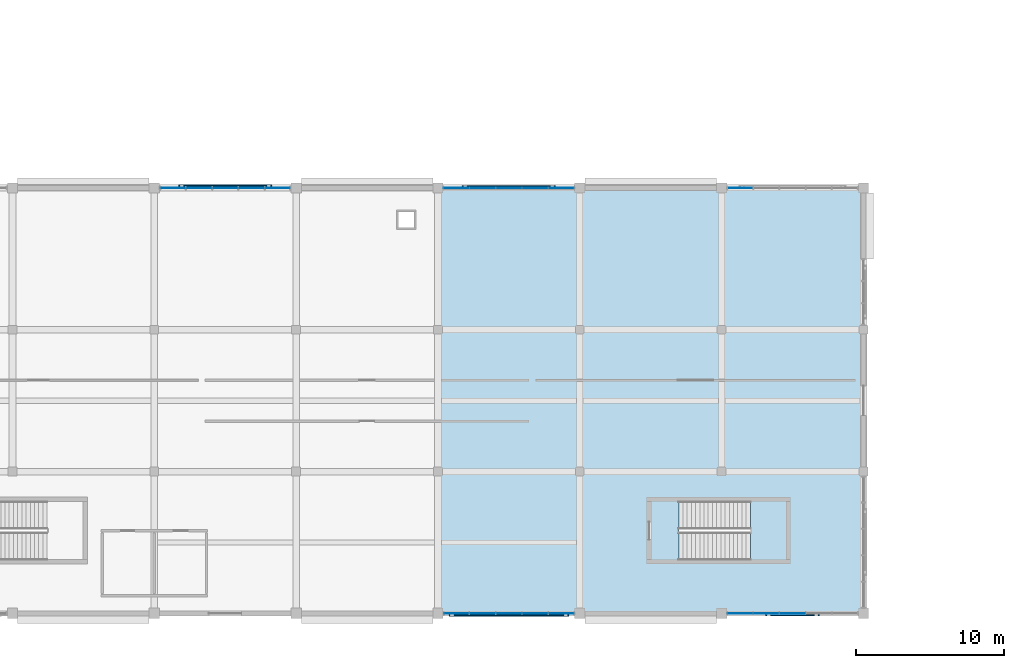
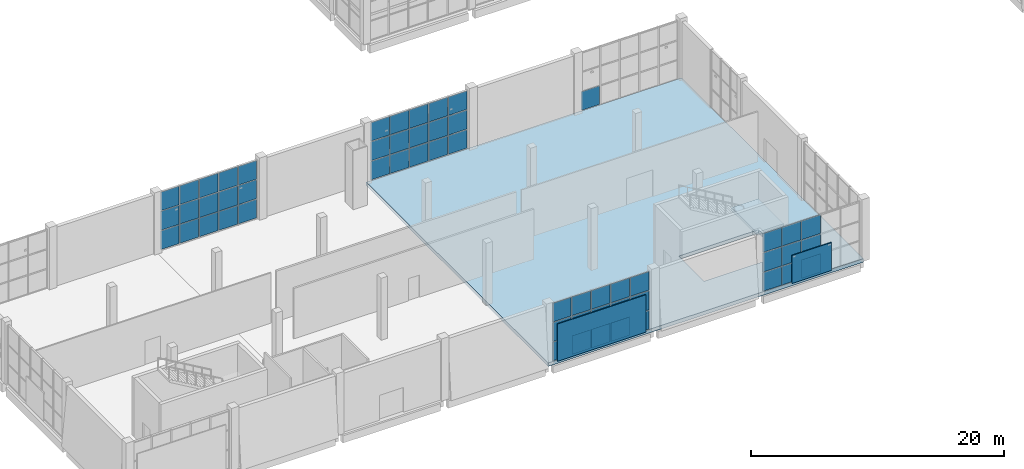
# One storey, part 40 of 84: 59 plates, 2 slabs, 6 elements without a shape of their own.
"""IFC4 building model written with IfcOpenShell, lengths in metres."""

from ifc_helpers import new_model, si_unit, direction, frame, origin, origin_2d, place, context, subcontext, project, spatial, polyline, rectangle, outline, extrude, material, layer, layer_set, type_object, element, aggregate, save


model = new_model("IFC4")

# Units and contexts
model_context = context("Model", 3, precision=1e-05, world=origin(), true_north=direction((0.0, 1.0)))
body_context = subcontext(model_context, "Body", "Model", "MODEL_VIEW")
ifc_project = project(units=[si_unit("LENGTHUNIT", "METRE"), si_unit("AREAUNIT", "SQUARE_METRE"), si_unit("VOLUMEUNIT", "CUBIC_METRE"), si_unit("PLANEANGLEUNIT", "RADIAN"), si_unit("MASSUNIT", "GRAM", prefix="KILO")], contexts=[model_context])

# Site, building, storey
site_placement = place(None, origin())
site = spatial("IfcSite", under=ifc_project, at=site_placement, CompositionType="ELEMENT")
building_placement = place(site_placement, origin())
building = spatial("IfcBuilding", under=site, at=building_placement, Name="Shalvenor Court Art Gallery", CompositionType="ELEMENT")
storey_placement = place(building_placement, origin())
storey = spatial("IfcBuildingStorey", under=building, at=storey_placement, Name="L00", CompositionType="ELEMENT", Elevation=0.0)

# Curtain wall, plates
ifc_material_1 = material(Name="Anodised aluminium and low-iron glass curtain wall", Category="aluminium")
curtain_wall_type_1 = type_object("IfcCurtainWallType", Name="CW-5x3-89-57-421", PredefinedType="USERDEFINED", material=ifc_material_1)
curtain_wall_1_placement = place(storey_placement, origin())
curtain_wall_1 = element("IfcCurtainWall", 1, at=curtain_wall_1_placement, inside=storey, type_object=curtain_wall_type_1, Name="L00 V4 Curtain Wall CW-L00-118", ObjectType="CURTAIN WALL", PredefinedType="USERDEFINED")
ifc_material_2 = material(Name="Low-iron UV-laminated double glazing IGU", Category="glass")
ifc_layer_1 = layer(ifc_material_2, 0.028076171875, Name="Low-iron UV-laminated double glazing IGU")
ifc_layer_set_1 = layer_set([ifc_layer_1], Name="Low-iron UV-laminated double glazing IGU")
plate_type_1 = type_object("IfcPlateType", Name="CWP-01", PredefinedType="CURTAIN_PANEL", material=ifc_layer_set_1)
plate_1_placement = place(storey_placement, frame((20.458740234375, 28.800048828125, 0.06494140625), z_axis=(0.0, 0.0, 1.0), x_axis=(1.0, 0.0, 0.0)))
plate_1 = element("IfcPlate", 2, at=plate_1_placement, type_object=plate_type_1, Name="CW-5x3-89-57-421 panel 1.1", PredefinedType="CURTAIN_PANEL", context=body_context, shape_type="SweptSolid", body=[
    extrude(rectangle(XDim=1.66748046875, YDim=0.028076171875, at=origin_2d()), origin(), (0.0, 0.0, 1.0), 1.7958984375),
])
plate_2_placement = place(storey_placement, frame((20.458740234375, 28.800048828125, 1.92578125), z_axis=(0.0, 0.0, 1.0), x_axis=(1.0, 0.0, 0.0)))
plate_2 = element("IfcPlate", 3, at=plate_2_placement, type_object=plate_type_1, Name="CW-5x3-89-57-421 panel 1.2", PredefinedType="CURTAIN_PANEL", context=body_context, shape_type="SweptSolid", body=[
    extrude(rectangle(XDim=1.66748046875, YDim=0.028076171875, at=origin_2d()), origin(), (0.0, 0.0, 1.0), 1.828369140625),
])
plate_3_placement = place(storey_placement, frame((20.458740234375, 28.800048828125, 3.819091796875), z_axis=(0.0, 0.0, 1.0), x_axis=(1.0, 0.0, 0.0)))
plate_3 = element("IfcPlate", 4, at=plate_3_placement, type_object=plate_type_1, Name="CW-5x3-89-57-421 panel 1.3", PredefinedType="CURTAIN_PANEL", context=body_context, shape_type="SweptSolid", body=[
    extrude(rectangle(XDim=1.66748046875, YDim=0.028076171875, at=origin_2d()), origin(), (0.0, 0.0, 1.0), 1.7958984375),
])
plate_4_placement = place(storey_placement, frame((22.219970703125, 28.800048828125, 0.06494140625), z_axis=(0.0, 0.0, 1.0), x_axis=(1.0, 0.0, 0.0)))
plate_4 = element("IfcPlate", 5, at=plate_4_placement, type_object=plate_type_1, Name="CW-5x3-89-57-421 panel 2.1", PredefinedType="CURTAIN_PANEL", context=body_context, shape_type="SweptSolid", body=[
    extrude(rectangle(XDim=1.705078125, YDim=0.028076171875, at=origin_2d()), origin(), (0.0, 0.0, 1.0), 1.7958984375),
])
plate_5_placement = place(storey_placement, frame((22.219970703125, 28.800048828125, 1.92578125), z_axis=(0.0, 0.0, 1.0), x_axis=(1.0, 0.0, 0.0)))
plate_5 = element("IfcPlate", 6, at=plate_5_placement, type_object=plate_type_1, Name="CW-5x3-89-57-421 panel 2.2", PredefinedType="CURTAIN_PANEL", context=body_context, shape_type="SweptSolid", body=[
    extrude(rectangle(XDim=1.705078125, YDim=0.028076171875, at=origin_2d()), origin(), (0.0, 0.0, 1.0), 1.828369140625),
])
plate_6_placement = place(storey_placement, frame((22.219970703125, 28.800048828125, 3.819091796875), z_axis=(0.0, 0.0, 1.0), x_axis=(1.0, 0.0, 0.0)))
plate_6 = element("IfcPlate", 7, at=plate_6_placement, type_object=plate_type_1, Name="CW-5x3-89-57-421 panel 2.3", PredefinedType="CURTAIN_PANEL", context=body_context, shape_type="SweptSolid", body=[
    extrude(rectangle(XDim=1.705078125, YDim=0.028076171875, at=origin_2d()), origin(), (0.0, 0.0, 1.0), 1.7958984375),
])
plate_7_placement = place(storey_placement, frame((24.0, 28.800048828125, 0.06494140625), z_axis=(0.0, 0.0, 1.0), x_axis=(1.0, 0.0, 0.0)))
plate_7 = element("IfcPlate", 8, at=plate_7_placement, type_object=plate_type_1, Name="CW-5x3-89-57-421 panel 3.1", PredefinedType="CURTAIN_PANEL", context=body_context, shape_type="SweptSolid", body=[
    extrude(rectangle(XDim=1.705078125, YDim=0.028076171875, at=origin_2d()), origin(), (0.0, 0.0, 1.0), 1.7958984375),
])
plate_8_placement = place(storey_placement, frame((24.0, 28.800048828125, 1.92578125), z_axis=(0.0, 0.0, 1.0), x_axis=(1.0, 0.0, 0.0)))
plate_8 = element("IfcPlate", 9, at=plate_8_placement, type_object=plate_type_1, Name="CW-5x3-89-57-421 panel 3.2", PredefinedType="CURTAIN_PANEL", context=body_context, shape_type="SweptSolid", body=[
    extrude(rectangle(XDim=1.705078125, YDim=0.028076171875, at=origin_2d()), origin(), (0.0, 0.0, 1.0), 1.828369140625),
])
plate_9_placement = place(storey_placement, frame((24.0, 28.800048828125, 3.819091796875), z_axis=(0.0, 0.0, 1.0), x_axis=(1.0, 0.0, 0.0)))
plate_9 = element("IfcPlate", 10, at=plate_9_placement, type_object=plate_type_1, Name="CW-5x3-89-57-421 panel 3.3", PredefinedType="CURTAIN_PANEL", context=body_context, shape_type="SweptSolid", body=[
    extrude(rectangle(XDim=1.705078125, YDim=0.028076171875, at=origin_2d()), origin(), (0.0, 0.0, 1.0), 1.7958984375),
])
plate_10_placement = place(storey_placement, frame((25.780029296875, 28.800048828125, 0.06494140625), z_axis=(0.0, 0.0, 1.0), x_axis=(1.0, 0.0, 0.0)))
plate_10 = element("IfcPlate", 11, at=plate_10_placement, type_object=plate_type_1, Name="CW-5x3-89-57-421 panel 4.1", PredefinedType="CURTAIN_PANEL", context=body_context, shape_type="SweptSolid", body=[
    extrude(rectangle(XDim=1.705078125, YDim=0.028076171875, at=origin_2d()), origin(), (0.0, 0.0, 1.0), 1.7958984375),
])
plate_11_placement = place(storey_placement, frame((25.780029296875, 28.800048828125, 1.92578125), z_axis=(0.0, 0.0, 1.0), x_axis=(1.0, 0.0, 0.0)))
plate_11 = element("IfcPlate", 12, at=plate_11_placement, type_object=plate_type_1, Name="CW-5x3-89-57-421 panel 4.2", PredefinedType="CURTAIN_PANEL", context=body_context, shape_type="SweptSolid", body=[
    extrude(rectangle(XDim=1.705078125, YDim=0.028076171875, at=origin_2d()), origin(), (0.0, 0.0, 1.0), 1.828369140625),
])
plate_12_placement = place(storey_placement, frame((25.780029296875, 28.800048828125, 3.819091796875), z_axis=(0.0, 0.0, 1.0), x_axis=(1.0, 0.0, 0.0)))
plate_12 = element("IfcPlate", 13, at=plate_12_placement, type_object=plate_type_1, Name="CW-5x3-89-57-421 panel 4.3", PredefinedType="CURTAIN_PANEL", context=body_context, shape_type="SweptSolid", body=[
    extrude(rectangle(XDim=1.705078125, YDim=0.028076171875, at=origin_2d()), origin(), (0.0, 0.0, 1.0), 1.7958984375),
])
plate_13_placement = place(storey_placement, frame((27.541259765625, 28.800048828125, 0.06494140625), z_axis=(0.0, 0.0, 1.0), x_axis=(1.0, 0.0, 0.0)))
plate_13 = element("IfcPlate", 14, at=plate_13_placement, type_object=plate_type_1, Name="CW-5x3-89-57-421 panel 5.1", PredefinedType="CURTAIN_PANEL", context=body_context, shape_type="SweptSolid", body=[
    extrude(rectangle(XDim=1.66748046875, YDim=0.028076171875, at=origin_2d()), origin(), (0.0, 0.0, 1.0), 1.7958984375),
])
plate_14_placement = place(storey_placement, frame((27.541259765625, 28.800048828125, 1.92578125), z_axis=(0.0, 0.0, 1.0), x_axis=(1.0, 0.0, 0.0)))
plate_14 = element("IfcPlate", 15, at=plate_14_placement, type_object=plate_type_1, Name="CW-5x3-89-57-421 panel 5.2", PredefinedType="CURTAIN_PANEL", context=body_context, shape_type="SweptSolid", body=[
    extrude(rectangle(XDim=1.66748046875, YDim=0.028076171875, at=origin_2d()), origin(), (0.0, 0.0, 1.0), 1.828369140625),
])
plate_15_placement = place(storey_placement, frame((27.541259765625, 28.800048828125, 3.819091796875), z_axis=(0.0, 0.0, 1.0), x_axis=(1.0, 0.0, 0.0)))
plate_15 = element("IfcPlate", 16, at=plate_15_placement, type_object=plate_type_1, Name="CW-5x3-89-57-421 panel 5.3", PredefinedType="CURTAIN_PANEL", context=body_context, shape_type="SweptSolid", body=[
    extrude(rectangle(XDim=1.66748046875, YDim=0.028076171875, at=origin_2d()), origin(), (0.0, 0.0, 1.0), 1.7958984375),
])
aggregate(curtain_wall_1, [plate_1, plate_2, plate_3, plate_4, plate_5, plate_6, plate_7, plate_8, plate_9, plate_10, plate_11, plate_12, plate_13, plate_14, plate_15])

ifc_material_3 = material(Name="Anodised aluminium and low-iron glass curtain wall", Category="aluminium")
curtain_wall_type_2 = type_object("IfcCurtainWallType", Name="CW-5x3-89-57-641", PredefinedType="USERDEFINED", material=ifc_material_3)
curtain_wall_2_placement = place(storey_placement, origin())
curtain_wall_2 = element("IfcCurtainWall", 17, at=curtain_wall_2_placement, inside=storey, type_object=curtain_wall_type_2, Name="L00 V4 Curtain Wall CW-L00-119", ObjectType="CURTAIN WALL", PredefinedType="USERDEFINED")
plate_16_placement = place(storey_placement, frame((39.65380859375, 28.800048828125, 0.06982421875), z_axis=(0.0, 0.0, 1.0), x_axis=(1.0, 0.0, 0.0)))
plate_16 = element("IfcPlate", 18, at=plate_16_placement, type_object=plate_type_1, Name="CW-5x3-89-57-641 panel 1.1", PredefinedType="CURTAIN_PANEL", context=body_context, shape_type="SweptSolid", body=[
    extrude(rectangle(XDim=1.697509765625, YDim=0.028076171875, at=origin_2d()), origin(), (0.0, 0.0, 1.0), 1.788330078125),
])
plate_17_placement = place(storey_placement, frame((39.65380859375, 28.800048828125, 1.928466796875), z_axis=(0.0, 0.0, 1.0), x_axis=(1.0, 0.0, 0.0)))
plate_17 = element("IfcPlate", 19, at=plate_17_placement, type_object=plate_type_1, Name="CW-5x3-89-57-641 panel 1.2", PredefinedType="CURTAIN_PANEL", context=body_context, shape_type="SweptSolid", body=[
    extrude(rectangle(XDim=1.697509765625, YDim=0.028076171875, at=origin_2d()), origin(), (0.0, 0.0, 1.0), 1.8232421875),
])
plate_18_placement = place(storey_placement, frame((39.65380859375, 28.800048828125, 3.82177734375), z_axis=(0.0, 0.0, 1.0), x_axis=(1.0, 0.0, 0.0)))
plate_18 = element("IfcPlate", 20, at=plate_18_placement, type_object=plate_type_1, Name="CW-5x3-89-57-641 panel 1.3", PredefinedType="CURTAIN_PANEL", context=body_context, shape_type="SweptSolid", body=[
    extrude(rectangle(XDim=1.697509765625, YDim=0.028076171875, at=origin_2d()), origin(), (0.0, 0.0, 1.0), 1.788330078125),
])
plate_19_placement = place(storey_placement, frame((41.419921875, 28.800048828125, 0.06982421875), z_axis=(0.0, 0.0, 1.0), x_axis=(1.0, 0.0, 0.0)))
plate_19 = element("IfcPlate", 21, at=plate_19_placement, type_object=plate_type_1, Name="CW-5x3-89-57-641 panel 2.1", PredefinedType="CURTAIN_PANEL", context=body_context, shape_type="SweptSolid", body=[
    extrude(rectangle(XDim=1.72509765625, YDim=0.028076171875, at=origin_2d()), origin(), (0.0, 0.0, 1.0), 1.788330078125),
])
plate_20_placement = place(storey_placement, frame((41.419921875, 28.800048828125, 1.928466796875), z_axis=(0.0, 0.0, 1.0), x_axis=(1.0, 0.0, 0.0)))
plate_20 = element("IfcPlate", 22, at=plate_20_placement, type_object=plate_type_1, Name="CW-5x3-89-57-641 panel 2.2", PredefinedType="CURTAIN_PANEL", context=body_context, shape_type="SweptSolid", body=[
    extrude(rectangle(XDim=1.72509765625, YDim=0.028076171875, at=origin_2d()), origin(), (0.0, 0.0, 1.0), 1.8232421875),
])
plate_21_placement = place(storey_placement, frame((41.419921875, 28.800048828125, 3.82177734375), z_axis=(0.0, 0.0, 1.0), x_axis=(1.0, 0.0, 0.0)))
plate_21 = element("IfcPlate", 23, at=plate_21_placement, type_object=plate_type_1, Name="CW-5x3-89-57-641 panel 2.3", PredefinedType="CURTAIN_PANEL", context=body_context, shape_type="SweptSolid", body=[
    extrude(rectangle(XDim=1.72509765625, YDim=0.028076171875, at=origin_2d()), origin(), (0.0, 0.0, 1.0), 1.788330078125),
])
plate_22_placement = place(storey_placement, frame((43.199951171875, 28.800048828125, 0.06982421875), z_axis=(0.0, 0.0, 1.0), x_axis=(1.0, 0.0, 0.0)))
plate_22 = element("IfcPlate", 24, at=plate_22_placement, type_object=plate_type_1, Name="CW-5x3-89-57-641 panel 3.1", PredefinedType="CURTAIN_PANEL", context=body_context, shape_type="SweptSolid", body=[
    extrude(rectangle(XDim=1.72509765625, YDim=0.028076171875, at=origin_2d()), origin(), (0.0, 0.0, 1.0), 1.788330078125),
])
plate_23_placement = place(storey_placement, frame((43.199951171875, 28.800048828125, 1.928466796875), z_axis=(0.0, 0.0, 1.0), x_axis=(1.0, 0.0, 0.0)))
plate_23 = element("IfcPlate", 25, at=plate_23_placement, type_object=plate_type_1, Name="CW-5x3-89-57-641 panel 3.2", PredefinedType="CURTAIN_PANEL", context=body_context, shape_type="SweptSolid", body=[
    extrude(rectangle(XDim=1.72509765625, YDim=0.028076171875, at=origin_2d()), origin(), (0.0, 0.0, 1.0), 1.8232421875),
])
plate_24_placement = place(storey_placement, frame((43.199951171875, 28.800048828125, 3.82177734375), z_axis=(0.0, 0.0, 1.0), x_axis=(1.0, 0.0, 0.0)))
plate_24 = element("IfcPlate", 26, at=plate_24_placement, type_object=plate_type_1, Name="CW-5x3-89-57-641 panel 3.3", PredefinedType="CURTAIN_PANEL", context=body_context, shape_type="SweptSolid", body=[
    extrude(rectangle(XDim=1.72509765625, YDim=0.028076171875, at=origin_2d()), origin(), (0.0, 0.0, 1.0), 1.788330078125),
])
plate_25_placement = place(storey_placement, frame((44.97998046875, 28.800048828125, 0.06982421875), z_axis=(0.0, 0.0, 1.0), x_axis=(1.0, 0.0, 0.0)))
plate_25 = element("IfcPlate", 27, at=plate_25_placement, type_object=plate_type_1, Name="CW-5x3-89-57-641 panel 4.1", PredefinedType="CURTAIN_PANEL", context=body_context, shape_type="SweptSolid", body=[
    extrude(rectangle(XDim=1.72509765625, YDim=0.028076171875, at=origin_2d()), origin(), (0.0, 0.0, 1.0), 1.788330078125),
])
plate_26_placement = place(storey_placement, frame((44.97998046875, 28.800048828125, 1.928466796875), z_axis=(0.0, 0.0, 1.0), x_axis=(1.0, 0.0, 0.0)))
plate_26 = element("IfcPlate", 28, at=plate_26_placement, type_object=plate_type_1, Name="CW-5x3-89-57-641 panel 4.2", PredefinedType="CURTAIN_PANEL", context=body_context, shape_type="SweptSolid", body=[
    extrude(rectangle(XDim=1.72509765625, YDim=0.028076171875, at=origin_2d()), origin(), (0.0, 0.0, 1.0), 1.8232421875),
])
plate_27_placement = place(storey_placement, frame((44.97998046875, 28.800048828125, 3.82177734375), z_axis=(0.0, 0.0, 1.0), x_axis=(1.0, 0.0, 0.0)))
plate_27 = element("IfcPlate", 29, at=plate_27_placement, type_object=plate_type_1, Name="CW-5x3-89-57-641 panel 4.3", PredefinedType="CURTAIN_PANEL", context=body_context, shape_type="SweptSolid", body=[
    extrude(rectangle(XDim=1.72509765625, YDim=0.028076171875, at=origin_2d()), origin(), (0.0, 0.0, 1.0), 1.788330078125),
])
plate_28_placement = place(storey_placement, frame((46.746337890625, 28.800048828125, 0.06982421875), z_axis=(0.0, 0.0, 1.0), x_axis=(1.0, 0.0, 0.0)))
plate_28 = element("IfcPlate", 30, at=plate_28_placement, type_object=plate_type_1, Name="CW-5x3-89-57-641 panel 5.1", PredefinedType="CURTAIN_PANEL", context=body_context, shape_type="SweptSolid", body=[
    extrude(rectangle(XDim=1.697509765625, YDim=0.028076171875, at=origin_2d()), origin(), (0.0, 0.0, 1.0), 1.788330078125),
])
plate_29_placement = place(storey_placement, frame((46.746337890625, 28.800048828125, 1.928466796875), z_axis=(0.0, 0.0, 1.0), x_axis=(1.0, 0.0, 0.0)))
plate_29 = element("IfcPlate", 31, at=plate_29_placement, type_object=plate_type_1, Name="CW-5x3-89-57-641 panel 5.2", PredefinedType="CURTAIN_PANEL", context=body_context, shape_type="SweptSolid", body=[
    extrude(rectangle(XDim=1.697509765625, YDim=0.028076171875, at=origin_2d()), origin(), (0.0, 0.0, 1.0), 1.8232421875),
])
plate_30_placement = place(storey_placement, frame((46.746337890625, 28.800048828125, 3.82177734375), z_axis=(0.0, 0.0, 1.0), x_axis=(1.0, 0.0, 0.0)))
plate_30 = element("IfcPlate", 32, at=plate_30_placement, type_object=plate_type_1, Name="CW-5x3-89-57-641 panel 5.3", PredefinedType="CURTAIN_PANEL", context=body_context, shape_type="SweptSolid", body=[
    extrude(rectangle(XDim=1.697509765625, YDim=0.028076171875, at=origin_2d()), origin(), (0.0, 0.0, 1.0), 1.788330078125),
])
aggregate(curtain_wall_2, [plate_16, plate_17, plate_18, plate_19, plate_20, plate_21, plate_22, plate_23, plate_24, plate_25, plate_26, plate_27, plate_28, plate_29, plate_30])

# Curtain wall, plate
ifc_material_4 = material(Name="Anodised aluminium and low-iron glass curtain wall", Category="aluminium")
curtain_wall_type_3 = type_object("IfcCurtainWallType", Name="CW-5x3-89-57-111", PredefinedType="USERDEFINED", material=ifc_material_4)
curtain_wall_3_placement = place(storey_placement, origin())
curtain_wall_3 = element("IfcCurtainWall", 33, at=curtain_wall_3_placement, inside=storey, type_object=curtain_wall_type_3, Name="L00 V4 Curtain Wall CW-L00-120", ObjectType="CURTAIN WALL", PredefinedType="USERDEFINED")
plate_31_placement = place(storey_placement, frame((58.856201171875, 28.800048828125, 0.06005859375), z_axis=(0.0, 0.0, 1.0), x_axis=(1.0, 0.0, 0.0)))
plate_31 = element("IfcPlate", 34, at=plate_31_placement, type_object=plate_type_1, Name="CW-5x3-89-57-111 panel 1.1", PredefinedType="CURTAIN_PANEL", context=body_context, shape_type="SweptSolid", body=[
    extrude(rectangle(XDim=1.6826171875, YDim=0.028076171875, at=origin_2d()), origin(), (0.0, 0.0, 1.0), 1.80322265625),
])
aggregate(curtain_wall_3, [plate_31])

# Curtain wall, plates
ifc_material_5 = material(Name="Anodised aluminium and low-iron glass curtain wall", Category="aluminium")
curtain_wall_type_4 = type_object("IfcCurtainWallType", Name="CW-5x3-89-57-611", PredefinedType="USERDEFINED", material=ifc_material_5)
curtain_wall_4_placement = place(storey_placement, origin())
curtain_wall_4 = element("IfcCurtainWall", 35, at=curtain_wall_4_placement, inside=storey, type_object=curtain_wall_type_4, Name="L00 V4 Curtain Wall CW-L00-123", ObjectType="CURTAIN WALL", PredefinedType="USERDEFINED")
plate_32_placement = place(storey_placement, frame((62.39990234375, 0.0, 0.06005859375), z_axis=(0.0, 0.0, 1.0), x_axis=(-1.0, 0.0, 0.0)))
plate_32 = element("IfcPlate", 36, at=plate_32_placement, type_object=plate_type_1, Name="CW-5x3-89-57-611 panel 3.1", PredefinedType="CURTAIN_PANEL", context=body_context, shape_type="SweptSolid", body=[
    extrude(rectangle(XDim=1.72509765625, YDim=0.028076171875, at=origin_2d()), origin(), (0.0, 0.0, 1.0), 1.80322265625),
])
plate_33_placement = place(storey_placement, frame((62.39990234375, 0.0, 1.92333984375), z_axis=(0.0, 0.0, 1.0), x_axis=(-1.0, 0.0, 0.0)))
plate_33 = element("IfcPlate", 37, at=plate_33_placement, type_object=plate_type_1, Name="CW-5x3-89-57-611 panel 3.2", PredefinedType="CURTAIN_PANEL", context=body_context, shape_type="SweptSolid", body=[
    extrude(rectangle(XDim=1.72509765625, YDim=0.028076171875, at=origin_2d()), origin(), (0.0, 0.0, 1.0), 1.833251953125),
])
plate_34_placement = place(storey_placement, frame((62.39990234375, 0.0, 3.816650390625), z_axis=(0.0, 0.0, 1.0), x_axis=(-1.0, 0.0, 0.0)))
plate_34 = element("IfcPlate", 38, at=plate_34_placement, type_object=plate_type_1, Name="CW-5x3-89-57-611 panel 3.3", PredefinedType="CURTAIN_PANEL", context=body_context, shape_type="SweptSolid", body=[
    extrude(rectangle(XDim=1.72509765625, YDim=0.028076171875, at=origin_2d()), origin(), (0.0, 0.0, 1.0), 1.80322265625),
])
plate_35_placement = place(storey_placement, frame((60.6201171875, 0.0, 0.06005859375), z_axis=(0.0, 0.0, 1.0), x_axis=(-1.0, 0.0, 0.0)))
plate_35 = element("IfcPlate", 39, at=plate_35_placement, type_object=plate_type_1, Name="CW-5x3-89-57-611 panel 4.1", PredefinedType="CURTAIN_PANEL", context=body_context, shape_type="SweptSolid", body=[
    extrude(rectangle(XDim=1.72509765625, YDim=0.028076171875, at=origin_2d()), origin(), (0.0, 0.0, 1.0), 1.80322265625),
])
plate_36_placement = place(storey_placement, frame((60.6201171875, 0.0, 1.92333984375), z_axis=(0.0, 0.0, 1.0), x_axis=(-1.0, 0.0, 0.0)))
plate_36 = element("IfcPlate", 40, at=plate_36_placement, type_object=plate_type_1, Name="CW-5x3-89-57-611 panel 4.2", PredefinedType="CURTAIN_PANEL", context=body_context, shape_type="SweptSolid", body=[
    extrude(rectangle(XDim=1.72509765625, YDim=0.028076171875, at=origin_2d()), origin(), (0.0, 0.0, 1.0), 1.833251953125),
])
plate_37_placement = place(storey_placement, frame((60.6201171875, 0.0, 3.816650390625), z_axis=(0.0, 0.0, 1.0), x_axis=(-1.0, 0.0, 0.0)))
plate_37 = element("IfcPlate", 41, at=plate_37_placement, type_object=plate_type_1, Name="CW-5x3-89-57-611 panel 4.3", PredefinedType="CURTAIN_PANEL", context=body_context, shape_type="SweptSolid", body=[
    extrude(rectangle(XDim=1.72509765625, YDim=0.028076171875, at=origin_2d()), origin(), (0.0, 0.0, 1.0), 1.80322265625),
])
plate_38_placement = place(storey_placement, frame((58.853759765625, 0.0, 0.06005859375), z_axis=(0.0, 0.0, 1.0), x_axis=(-1.0, 0.0, 0.0)))
plate_38 = element("IfcPlate", 42, at=plate_38_placement, type_object=plate_type_1, Name="CW-5x3-89-57-611 panel 5.1", PredefinedType="CURTAIN_PANEL", context=body_context, shape_type="SweptSolid", body=[
    extrude(rectangle(XDim=1.697509765625, YDim=0.028076171875, at=origin_2d()), origin(), (0.0, 0.0, 1.0), 1.80322265625),
])
plate_39_placement = place(storey_placement, frame((58.853759765625, 0.0, 1.92333984375), z_axis=(0.0, 0.0, 1.0), x_axis=(-1.0, 0.0, 0.0)))
plate_39 = element("IfcPlate", 43, at=plate_39_placement, type_object=plate_type_1, Name="CW-5x3-89-57-611 panel 5.2", PredefinedType="CURTAIN_PANEL", context=body_context, shape_type="SweptSolid", body=[
    extrude(rectangle(XDim=1.697509765625, YDim=0.028076171875, at=origin_2d()), origin(), (0.0, 0.0, 1.0), 1.833251953125),
])
plate_40_placement = place(storey_placement, frame((58.853759765625, 0.0, 3.816650390625), z_axis=(0.0, 0.0, 1.0), x_axis=(-1.0, 0.0, 0.0)))
plate_40 = element("IfcPlate", 44, at=plate_40_placement, type_object=plate_type_1, Name="CW-5x3-89-57-611 panel 5.3", PredefinedType="CURTAIN_PANEL", context=body_context, shape_type="SweptSolid", body=[
    extrude(rectangle(XDim=1.697509765625, YDim=0.028076171875, at=origin_2d()), origin(), (0.0, 0.0, 1.0), 1.80322265625),
])
aggregate(curtain_wall_4, [plate_32, plate_33, plate_34, plate_35, plate_36, plate_37, plate_38, plate_39, plate_40])

ifc_material_6 = material(Name="Anodised aluminium and low-iron glass curtain wall", Category="aluminium")
curtain_wall_type_5 = type_object("IfcCurtainWallType", Name="CW-5x3-89-57-121", PredefinedType="USERDEFINED", material=ifc_material_6)
curtain_wall_5_placement = place(storey_placement, origin())
curtain_wall_5 = element("IfcCurtainWall", 45, at=curtain_wall_5_placement, inside=storey, type_object=curtain_wall_type_5, Name="L00 V4 Curtain Wall CW-L00-124", ObjectType="CURTAIN WALL", PredefinedType="USERDEFINED")
plate_41_placement = place(storey_placement, frame((46.74365234375, 0.0, 0.06494140625), z_axis=(0.0, 0.0, 1.0), x_axis=(-1.0, 0.0, 0.0)))
plate_41 = element("IfcPlate", 46, at=plate_41_placement, type_object=plate_type_1, Name="CW-5x3-89-57-121 panel 1.1", PredefinedType="CURTAIN_PANEL", context=body_context, shape_type="SweptSolid", body=[
    extrude(rectangle(XDim=1.6826171875, YDim=0.028076171875, at=origin_2d()), origin(), (0.0, 0.0, 1.0), 1.7958984375),
])
plate_42_placement = place(storey_placement, frame((46.74365234375, 0.0, 1.92578125), z_axis=(0.0, 0.0, 1.0), x_axis=(-1.0, 0.0, 0.0)))
plate_42 = element("IfcPlate", 47, at=plate_42_placement, type_object=plate_type_1, Name="CW-5x3-89-57-121 panel 1.2", PredefinedType="CURTAIN_PANEL", context=body_context, shape_type="SweptSolid", body=[
    extrude(rectangle(XDim=1.6826171875, YDim=0.028076171875, at=origin_2d()), origin(), (0.0, 0.0, 1.0), 1.828369140625),
])
plate_43_placement = place(storey_placement, frame((46.74365234375, 0.0, 3.819091796875), z_axis=(0.0, 0.0, 1.0), x_axis=(-1.0, 0.0, 0.0)))
plate_43 = element("IfcPlate", 48, at=plate_43_placement, type_object=plate_type_1, Name="CW-5x3-89-57-121 panel 1.3", PredefinedType="CURTAIN_PANEL", context=body_context, shape_type="SweptSolid", body=[
    extrude(rectangle(XDim=1.6826171875, YDim=0.028076171875, at=origin_2d()), origin(), (0.0, 0.0, 1.0), 1.7958984375),
])
plate_44_placement = place(storey_placement, frame((44.97998046875, 0.0, 0.06494140625), z_axis=(0.0, 0.0, 1.0), x_axis=(-1.0, 0.0, 0.0)))
plate_44 = element("IfcPlate", 49, at=plate_44_placement, type_object=plate_type_1, Name="CW-5x3-89-57-121 panel 2.1", PredefinedType="CURTAIN_PANEL", context=body_context, shape_type="SweptSolid", body=[
    extrude(rectangle(XDim=1.715087890625, YDim=0.028076171875, at=origin_2d()), origin(), (0.0, 0.0, 1.0), 1.7958984375),
])
plate_45_placement = place(storey_placement, frame((44.97998046875, 0.0, 1.92578125), z_axis=(0.0, 0.0, 1.0), x_axis=(-1.0, 0.0, 0.0)))
plate_45 = element("IfcPlate", 50, at=plate_45_placement, type_object=plate_type_1, Name="CW-5x3-89-57-121 panel 2.2", PredefinedType="CURTAIN_PANEL", context=body_context, shape_type="SweptSolid", body=[
    extrude(rectangle(XDim=1.715087890625, YDim=0.028076171875, at=origin_2d()), origin(), (0.0, 0.0, 1.0), 1.828369140625),
])
plate_46_placement = place(storey_placement, frame((44.97998046875, 0.0, 3.819091796875), z_axis=(0.0, 0.0, 1.0), x_axis=(-1.0, 0.0, 0.0)))
plate_46 = element("IfcPlate", 51, at=plate_46_placement, type_object=plate_type_1, Name="CW-5x3-89-57-121 panel 2.3", PredefinedType="CURTAIN_PANEL", context=body_context, shape_type="SweptSolid", body=[
    extrude(rectangle(XDim=1.715087890625, YDim=0.028076171875, at=origin_2d()), origin(), (0.0, 0.0, 1.0), 1.7958984375),
])
plate_47_placement = place(storey_placement, frame((43.199951171875, 0.0, 0.06494140625), z_axis=(0.0, 0.0, 1.0), x_axis=(-1.0, 0.0, 0.0)))
plate_47 = element("IfcPlate", 52, at=plate_47_placement, type_object=plate_type_1, Name="CW-5x3-89-57-121 panel 3.1", PredefinedType="CURTAIN_PANEL", context=body_context, shape_type="SweptSolid", body=[
    extrude(rectangle(XDim=1.715087890625, YDim=0.028076171875, at=origin_2d()), origin(), (0.0, 0.0, 1.0), 1.7958984375),
])
plate_48_placement = place(storey_placement, frame((43.199951171875, 0.0, 1.92578125), z_axis=(0.0, 0.0, 1.0), x_axis=(-1.0, 0.0, 0.0)))
plate_48 = element("IfcPlate", 53, at=plate_48_placement, type_object=plate_type_1, Name="CW-5x3-89-57-121 panel 3.2", PredefinedType="CURTAIN_PANEL", context=body_context, shape_type="SweptSolid", body=[
    extrude(rectangle(XDim=1.715087890625, YDim=0.028076171875, at=origin_2d()), origin(), (0.0, 0.0, 1.0), 1.828369140625),
])
plate_49_placement = place(storey_placement, frame((43.199951171875, 0.0, 3.819091796875), z_axis=(0.0, 0.0, 1.0), x_axis=(-1.0, 0.0, 0.0)))
plate_49 = element("IfcPlate", 54, at=plate_49_placement, type_object=plate_type_1, Name="CW-5x3-89-57-121 panel 3.3", PredefinedType="CURTAIN_PANEL", context=body_context, shape_type="SweptSolid", body=[
    extrude(rectangle(XDim=1.715087890625, YDim=0.028076171875, at=origin_2d()), origin(), (0.0, 0.0, 1.0), 1.7958984375),
])
plate_50_placement = place(storey_placement, frame((41.419921875, 0.0, 0.06494140625), z_axis=(0.0, 0.0, 1.0), x_axis=(-1.0, 0.0, 0.0)))
plate_50 = element("IfcPlate", 55, at=plate_50_placement, type_object=plate_type_1, Name="CW-5x3-89-57-121 panel 4.1", PredefinedType="CURTAIN_PANEL", context=body_context, shape_type="SweptSolid", body=[
    extrude(rectangle(XDim=1.715087890625, YDim=0.028076171875, at=origin_2d()), origin(), (0.0, 0.0, 1.0), 1.7958984375),
])
plate_51_placement = place(storey_placement, frame((41.419921875, 0.0, 1.92578125), z_axis=(0.0, 0.0, 1.0), x_axis=(-1.0, 0.0, 0.0)))
plate_51 = element("IfcPlate", 56, at=plate_51_placement, type_object=plate_type_1, Name="CW-5x3-89-57-121 panel 4.2", PredefinedType="CURTAIN_PANEL", context=body_context, shape_type="SweptSolid", body=[
    extrude(rectangle(XDim=1.715087890625, YDim=0.028076171875, at=origin_2d()), origin(), (0.0, 0.0, 1.0), 1.828369140625),
])
plate_52_placement = place(storey_placement, frame((41.419921875, 0.0, 3.819091796875), z_axis=(0.0, 0.0, 1.0), x_axis=(-1.0, 0.0, 0.0)))
plate_52 = element("IfcPlate", 57, at=plate_52_placement, type_object=plate_type_1, Name="CW-5x3-89-57-121 panel 4.3", PredefinedType="CURTAIN_PANEL", context=body_context, shape_type="SweptSolid", body=[
    extrude(rectangle(XDim=1.715087890625, YDim=0.028076171875, at=origin_2d()), origin(), (0.0, 0.0, 1.0), 1.7958984375),
])
plate_53_placement = place(storey_placement, frame((39.65625, 0.0, 0.06494140625), z_axis=(0.0, 0.0, 1.0), x_axis=(-1.0, 0.0, 0.0)))
plate_53 = element("IfcPlate", 58, at=plate_53_placement, type_object=plate_type_1, Name="CW-5x3-89-57-121 panel 5.1", PredefinedType="CURTAIN_PANEL", context=body_context, shape_type="SweptSolid", body=[
    extrude(rectangle(XDim=1.6826171875, YDim=0.028076171875, at=origin_2d()), origin(), (0.0, 0.0, 1.0), 1.7958984375),
])
plate_54_placement = place(storey_placement, frame((39.65625, 0.0, 1.92578125), z_axis=(0.0, 0.0, 1.0), x_axis=(-1.0, 0.0, 0.0)))
plate_54 = element("IfcPlate", 59, at=plate_54_placement, type_object=plate_type_1, Name="CW-5x3-89-57-121 panel 5.2", PredefinedType="CURTAIN_PANEL", context=body_context, shape_type="SweptSolid", body=[
    extrude(rectangle(XDim=1.6826171875, YDim=0.028076171875, at=origin_2d()), origin(), (0.0, 0.0, 1.0), 1.828369140625),
])
plate_55_placement = place(storey_placement, frame((39.65625, 0.0, 3.819091796875), z_axis=(0.0, 0.0, 1.0), x_axis=(-1.0, 0.0, 0.0)))
plate_55 = element("IfcPlate", 60, at=plate_55_placement, type_object=plate_type_1, Name="CW-5x3-89-57-121 panel 5.3", PredefinedType="CURTAIN_PANEL", context=body_context, shape_type="SweptSolid", body=[
    extrude(rectangle(XDim=1.6826171875, YDim=0.028076171875, at=origin_2d()), origin(), (0.0, 0.0, 1.0), 1.7958984375),
])
aggregate(curtain_wall_5, [plate_41, plate_42, plate_43, plate_44, plate_45, plate_46, plate_47, plate_48, plate_49, plate_50, plate_51, plate_52, plate_53, plate_54, plate_55])

# Slab
ifc_material_7 = material(Name="Concrete C40/50", Category="concrete")
ifc_layer_2 = layer(ifc_material_7, 0.340087890625, Name="Concrete C40/50")
ifc_layer_set_2 = layer_set([ifc_layer_2], Name="Concrete C40/50")
slab_type_1 = type_object("IfcSlabType", Name="FS-340", PredefinedType="FLOOR", material=ifc_layer_set_2)
slab_1_placement = place(storey_placement, frame((0.0, 0.0, -0.340087890625)))
element("IfcSlab", 61, at=slab_1_placement, inside=storey, type_object=slab_type_1, Name="L00 V4 Floor Slab 3", PredefinedType="FLOOR", context=body_context, shape_type="SweptSolid", body=[
    extrude(outline(polyline([(67.199951171875, 28.800048828125), (67.199951171875, 0.0), (38.39990234375, 0.0), (38.39990234375, 28.800048828125), (67.199951171875, 28.800048828125)]), holes=[polyline([(54.7109375, 7.60009765625), (54.7109375, 3.60009765625), (62.0, 3.60009765625), (62.0, 7.60009765625), (54.7109375, 7.60009765625)])]), origin(), (0.0, 0.0, 1.0), 0.340087890625),
])

# Plates
ifc_material_8 = material(Name="Perforated pale limestone GRC lattice", Category="masonry")
ifc_layer_3 = layer(ifc_material_8, 0.090087890625, Name="Perforated pale limestone GRC lattice")
ifc_layer_set_3 = layer_set([ifc_layer_3], Name="Perforated pale limestone GRC lattice")
plate_type_2 = type_object("IfcPlateType", Name="SCR-05", PredefinedType="USERDEFINED", material=ifc_layer_set_3)
plate_56_placement = place(storey_placement, frame((24.0, 28.952880859375, 0.0), z_axis=(0.0, 0.0, 1.0), x_axis=(1.0, 0.0, 0.0)))
element("IfcPlate", 62, at=plate_56_placement, inside=storey, type_object=plate_type_2, Name="L00 V4 Perforated Stone Lattice Screen PLT-SCR-0103", ObjectType="SCREEN", PredefinedType="USERDEFINED", context=body_context, shape_type="SweptSolid", body=[
    extrude(rectangle(XDim=6.300048828125, YDim=0.090087890625, at=origin_2d()), origin(), (0.0, 0.0, 1.0), 3.60009765625),
])
ifc_material_9 = material(Name="Perforated pale limestone GRC lattice", Category="masonry")
ifc_layer_4 = layer(ifc_material_9, 0.090087890625, Name="Perforated pale limestone GRC lattice")
ifc_layer_set_4 = layer_set([ifc_layer_4], Name="Perforated pale limestone GRC lattice")
plate_type_3 = type_object("IfcPlateType", Name="SCR-06", PredefinedType="USERDEFINED", material=ifc_layer_set_4)
plate_57_placement = place(storey_placement, frame((43.199951171875, 28.9130859375, 0.0), z_axis=(0.0, 0.0, 1.0), x_axis=(1.0, 0.0, 0.0)))
element("IfcPlate", 63, at=plate_57_placement, inside=storey, type_object=plate_type_3, Name="L00 V4 Perforated Stone Lattice Screen PLT-SCR-0104", ObjectType="SCREEN", PredefinedType="USERDEFINED", context=body_context, shape_type="SweptSolid", body=[
    extrude(rectangle(XDim=6.300048828125, YDim=0.090087890625, at=origin_2d()), origin(), (0.0, 0.0, 1.0), 4.5),
])
ifc_material_10 = material(Name="Perforated pale limestone GRC lattice", Category="masonry")
ifc_layer_5 = layer(ifc_material_10, 0.090087890625, Name="Perforated pale limestone GRC lattice")
ifc_layer_set_5 = layer_set([ifc_layer_5], Name="Perforated pale limestone GRC lattice")
plate_type_4 = type_object("IfcPlateType", Name="SCR-10", PredefinedType="USERDEFINED", material=ifc_layer_set_5)
plate_58_placement = place(storey_placement, frame((62.39990234375, -0.113037109375, 0.0), z_axis=(0.0, 0.0, 1.0), x_axis=(-1.0, 0.0, 0.0)))
element("IfcPlate", 64, at=plate_58_placement, inside=storey, type_object=plate_type_4, Name="L00 V4 Perforated Stone Lattice Screen PLT-SCR-0108", ObjectType="SCREEN", PredefinedType="USERDEFINED", context=body_context, shape_type="SweptSolid", body=[
    extrude(rectangle(XDim=3.60009765625, YDim=0.090087890625, at=origin_2d()), origin(), (0.0, 0.0, 1.0), 2.699951171875),
])
ifc_material_11 = material(Name="Perforated pale limestone GRC lattice", Category="masonry")
ifc_layer_6 = layer(ifc_material_11, 0.094970703125, Name="Perforated pale limestone GRC lattice")
ifc_layer_set_6 = layer_set([ifc_layer_6], Name="Perforated pale limestone GRC lattice")
plate_type_5 = type_object("IfcPlateType", Name="SCR-11", PredefinedType="USERDEFINED", material=ifc_layer_set_6)
plate_59_placement = place(storey_placement, frame((43.199951171875, -0.135498046875, 0.0), z_axis=(0.0, 0.0, 1.0), x_axis=(-1.0, 0.0, 0.0)))
element("IfcPlate", 65, at=plate_59_placement, inside=storey, type_object=plate_type_5, Name="L00 V4 Perforated Stone Lattice Screen PLT-SCR-0109", ObjectType="SCREEN", PredefinedType="USERDEFINED", context=body_context, shape_type="SweptSolid", body=[
    extrude(rectangle(XDim=8.10009765625, YDim=0.094970703125, at=origin_2d()), origin(), (0.0, 0.0, 1.0), 3.60009765625),
])

# Stair, slab
ifc_material_12 = material(Name="Concrete C40/50", Category="concrete")
stair_type = type_object("IfcStairType", Name="ST-DL-36R-1900", PredefinedType="HALF_TURN_STAIR", material=ifc_material_12)
stair_placement = place(storey_placement, origin())
stair = element("IfcStair", 66, at=stair_placement, inside=storey, type_object=stair_type, Name="L00 Core Dogleg Stair ST-08", PredefinedType="HALF_TURN_STAIR")
ifc_material_13 = material(Name="Concrete C40/50", Category="concrete")
ifc_layer_7 = layer(ifc_material_13, 0.300048828125, Name="Concrete C40/50")
ifc_layer_set_7 = layer_set([ifc_layer_7], Name="Concrete C40/50")
slab_type_2 = type_object("IfcSlabType", Name="SLD-300", PredefinedType="LANDING", material=ifc_layer_set_7)
slab_2_placement = place(storey_placement, frame((0.0, 0.0, 2.699951171875)))
slab_2 = element("IfcSlab", 67, at=slab_2_placement, type_object=slab_type_2, Name="ST-DL-36R-1900 landing 1", PredefinedType="LANDING", context=body_context, shape_type="SweptSolid", body=[
    extrude(outline(polyline([(59.544921875, 3.60009765625), (62.0, 3.60009765625), (62.0, 7.60009765625), (59.544921875, 7.60009765625), (59.544921875, 3.60009765625)])), origin(), (0.0, 0.0, 1.0), 0.300048828125),
])
aggregate(stair, [slab_2])

save(model, "model.ifc")
